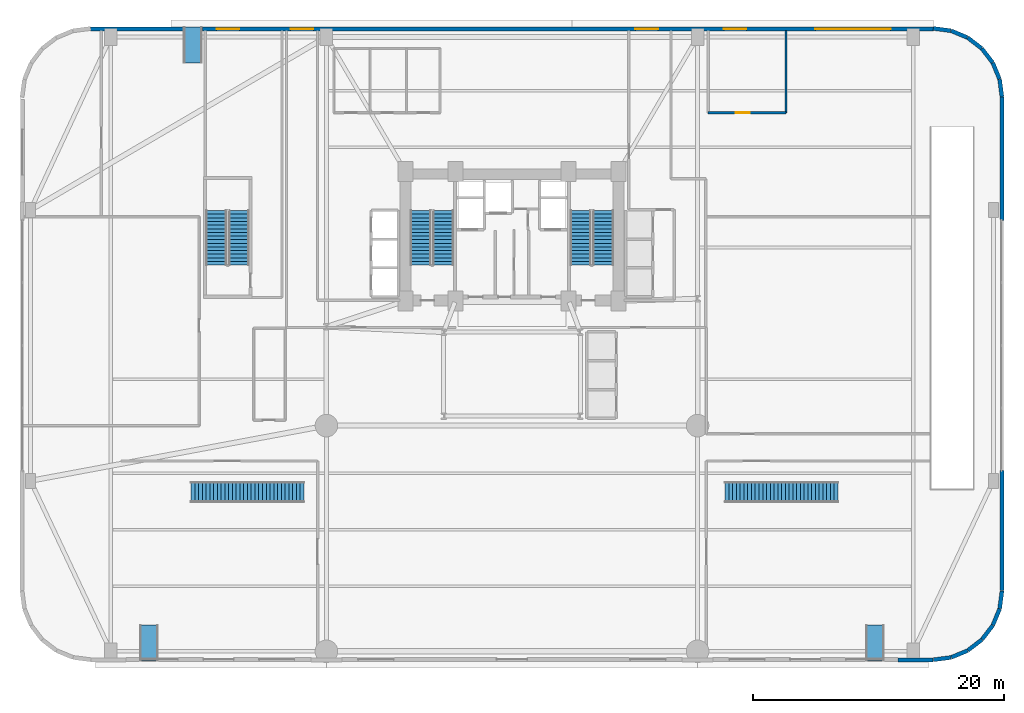
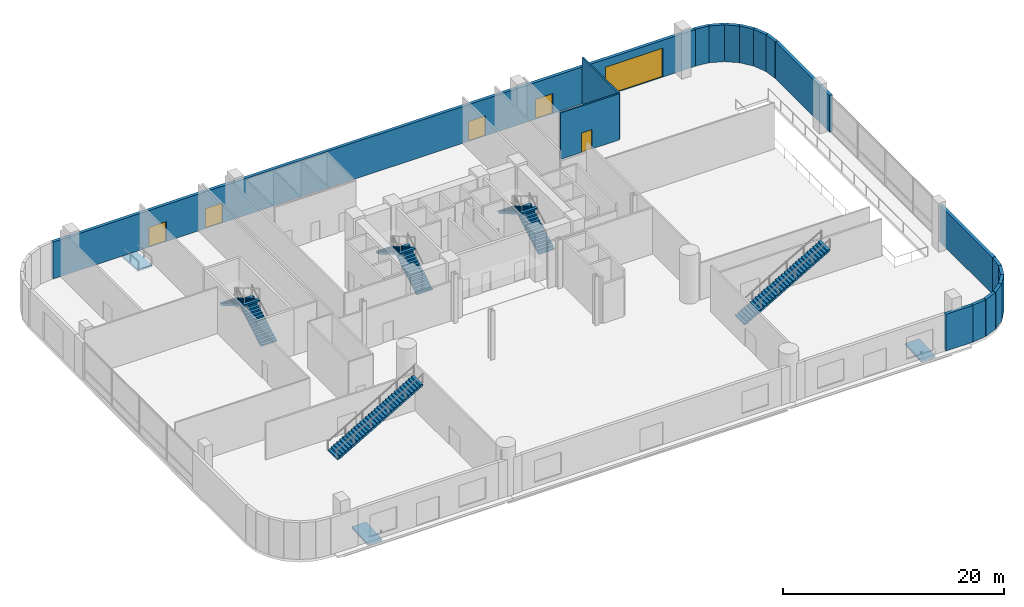
# One storey, part 19 of 26: 18 walls, 8 stair flights, 6 doors, 3 ramp flights, 6 openings, 8 elements without a shape of their own.
"""IFC4 building model written with IfcOpenShell, lengths in metres."""

from ifc_helpers import new_model, si_unit, direction, frame, frame_2d, origin, place, context, subcontext, project, spatial, polyline, rectangle, outline, extrude, material, layer, layer_set, type_object, element, fill, aggregate, save


model = new_model("IFC4")

# Units and contexts
model_context = context("Model", 3, precision=1e-05, world=origin(), true_north=direction((0.0, 1.0)))
body_context = subcontext(model_context, "Body", "Model", "MODEL_VIEW")
ifc_project = project(units=[si_unit("LENGTHUNIT", "METRE"), si_unit("AREAUNIT", "SQUARE_METRE"), si_unit("VOLUMEUNIT", "CUBIC_METRE"), si_unit("PLANEANGLEUNIT", "RADIAN"), si_unit("MASSUNIT", "GRAM", prefix="KILO")], contexts=[model_context])

# Site, building, storey
site_placement = place(None, origin())
site = spatial("IfcSite", under=ifc_project, at=site_placement, CompositionType="ELEMENT")
building_placement = place(site_placement, origin())
building = spatial("IfcBuilding", under=site, at=building_placement, Name="Varnelok Gate Tower", CompositionType="ELEMENT")
storey_placement = place(building_placement, origin())
storey = spatial("IfcBuildingStorey", under=building, at=storey_placement, Name="L00", CompositionType="ELEMENT", Elevation=0.0)

# Wall, openings, doors
ifc_material_1 = material(Name="Concrete C45/55", Category="concrete")
ifc_layer_1 = layer(ifc_material_1, 0.320068359375)
ifc_layer_set_1 = layer_set([ifc_layer_1], Name="Concrete C45/55")
wall_type_1 = type_object("IfcWallType", Name="EW-POD-320", PredefinedType="SOLIDWALL", material=ifc_layer_set_1)
wall_1_placement = place(storey_placement, frame((5.60009765625, 50.43994140625, 0.0), z_axis=(0.0, 0.0, 1.0), x_axis=(1.0, 0.0, 0.0)))
wall_1 = element("IfcWall", 1, at=wall_1_placement, inside=storey, type_object=wall_type_1, Name="L00 North Streetfront Envelope Wall", PredefinedType="SOLIDWALL", context=body_context, shape_type="SweptSolid", body=[
    extrude(rectangle(XDim=67.199951171875, YDim=0.320068359375, at=frame_2d((33.60009765625, 0.0))), origin(), (0.0, 0.0, 1.0), 4.070068359375),
])
opening_1_placement = place(wall_1_placement, frame((10.050048828125, 0.0, 0.0)))
opening_1 = element("IfcOpeningElement", 2, at=opening_1_placement, cuts=wall_1, Name="Opening ED-01", PredefinedType="OPENING", context=body_context, shape_type="SweptSolid", body=[
    extrude(rectangle(XDim=1.800048828125, YDim=2.199951171875, at=frame_2d((0.89990234375, 1.10009765625))), frame((0.0, 0.169921875, 0.0), z_axis=(0.0, -1.0, 0.0), x_axis=(1.0, 0.0, 0.0)), (0.0, 0.0, 1.0), 0.340087890625),
])
opening_2_placement = place(wall_1_placement, frame((15.949951171875, 0.0, 0.0)))
opening_2 = element("IfcOpeningElement", 3, at=opening_2_placement, cuts=wall_1, Name="Opening ED-02", PredefinedType="OPENING", context=body_context, shape_type="SweptSolid", body=[
    extrude(rectangle(XDim=1.800048828125, YDim=2.199951171875, at=frame_2d((0.89990234375, 1.10009765625))), frame((0.0, 0.169921875, 0.0), z_axis=(0.0, -1.0, 0.0), x_axis=(1.0, 0.0, 0.0)), (0.0, 0.0, 1.0), 0.340087890625),
])
opening_3_placement = place(wall_1_placement, frame((43.449951171875, 0.0, 0.0)))
opening_3 = element("IfcOpeningElement", 4, at=opening_3_placement, cuts=wall_1, Name="Opening ED-03", PredefinedType="OPENING", context=body_context, shape_type="SweptSolid", body=[
    extrude(rectangle(XDim=1.800048828125, YDim=2.199951171875, at=frame_2d((0.89990234375, 1.10009765625))), frame((0.0, 0.169921875, 0.0), z_axis=(0.0, -1.0, 0.0), x_axis=(1.0, 0.0, 0.0)), (0.0, 0.0, 1.0), 0.340087890625),
])
opening_4_placement = place(wall_1_placement, frame((50.5, 0.0, 0.0)))
opening_4 = element("IfcOpeningElement", 5, at=opening_4_placement, cuts=wall_1, Name="Opening ED-07", PredefinedType="OPENING", context=body_context, shape_type="SweptSolid", body=[
    extrude(rectangle(XDim=1.800048828125, YDim=2.199951171875, at=frame_2d((0.89990234375, 1.10009765625))), frame((0.0, 0.169921875, 0.0), z_axis=(0.0, -1.0, 0.0), x_axis=(1.0, 0.0, 0.0)), (0.0, 0.0, 1.0), 0.340087890625),
])
opening_5_placement = place(wall_1_placement, frame((57.800048828125, 0.0, 0.0)))
opening_5 = element("IfcOpeningElement", 6, at=opening_5_placement, cuts=wall_1, Name="Opening VG-01", PredefinedType="OPENING", context=body_context, shape_type="SweptSolid", body=[
    extrude(rectangle(XDim=6.0, YDim=3.199951171875, at=frame_2d((3.0, 1.60009765625))), frame((0.0, 0.169921875, 0.0), z_axis=(0.0, -1.0, 0.0), x_axis=(1.0, 0.0, 0.0)), (0.0, 0.0, 1.0), 0.340087890625),
])
ifc_material_2 = material(Name="Galvanized Steel Grade S350GD", Category="steel")
door_type_1 = type_object("IfcDoorType", Name="DR-EXT-EXIT1800", OperationType="DOUBLE_DOOR_SINGLE_SWING", PredefinedType="DOOR", material=ifc_material_2)
door_1_placement = place(opening_1_placement, origin())
door_1 = element("IfcDoor", 7, at=door_1_placement, inside=storey, type_object=door_type_1, Name="L00 Final Exit Door ED-01 (Stair ST-3)", OperationType="DOUBLE_DOOR_SINGLE_SWING", OverallHeight=2.199951171875, OverallWidth=1.800048828125, PredefinedType="DOOR", context=body_context, shape_type="SweptSolid", body=[
    extrude(rectangle(XDim=1.800048828125, YDim=2.199951171875, at=frame_2d((0.89990234375, 1.10009765625))), frame((0.0, 0.02490234375, 0.0), z_axis=(0.0, -1.0, 0.0), x_axis=(1.0, 0.0, 0.0)), (0.0, 0.0, 1.0), 0.050048828125),
])
fill(opening_1, door_1)
door_2_placement = place(opening_2_placement, origin())
door_2 = element("IfcDoor", 8, at=door_2_placement, inside=storey, type_object=door_type_1, Name="L00 Final Exit Door ED-02 (Stair ST-1)", OperationType="DOUBLE_DOOR_SINGLE_SWING", OverallHeight=2.199951171875, OverallWidth=1.800048828125, PredefinedType="DOOR", context=body_context, shape_type="SweptSolid", body=[
    extrude(rectangle(XDim=1.800048828125, YDim=2.199951171875, at=frame_2d((0.89990234375, 1.10009765625))), frame((0.0, 0.02490234375, 0.0), z_axis=(0.0, -1.0, 0.0), x_axis=(1.0, 0.0, 0.0)), (0.0, 0.0, 1.0), 0.050048828125),
])
fill(opening_2, door_2)
door_3_placement = place(opening_3_placement, origin())
door_3 = element("IfcDoor", 9, at=door_3_placement, inside=storey, type_object=door_type_1, Name="L00 Final Exit Door ED-03 (Stair ST-2)", OperationType="DOUBLE_DOOR_SINGLE_SWING", OverallHeight=2.199951171875, OverallWidth=1.800048828125, PredefinedType="DOOR", context=body_context, shape_type="SweptSolid", body=[
    extrude(rectangle(XDim=1.800048828125, YDim=2.199951171875, at=frame_2d((0.89990234375, 1.10009765625))), frame((0.0, 0.02490234375, 0.0), z_axis=(0.0, -1.0, 0.0), x_axis=(1.0, 0.0, 0.0)), (0.0, 0.0, 1.0), 0.050048828125),
])
fill(opening_3, door_3)
door_4_placement = place(opening_4_placement, origin())
door_4 = element("IfcDoor", 10, at=door_4_placement, inside=storey, type_object=door_type_1, Name="L00 Fire Command Center Exterior Exit Door", OperationType="DOUBLE_DOOR_SINGLE_SWING", OverallHeight=2.199951171875, OverallWidth=1.800048828125, PredefinedType="DOOR", context=body_context, shape_type="SweptSolid", body=[
    extrude(rectangle(XDim=1.800048828125, YDim=2.199951171875, at=frame_2d((0.89990234375, 1.10009765625))), frame((0.0, 0.02490234375, 0.0), z_axis=(0.0, -1.0, 0.0), x_axis=(1.0, 0.0, 0.0)), (0.0, 0.0, 1.0), 0.050048828125),
])
fill(opening_4, door_4)
door_type_2 = type_object("IfcDoorType", Name="DR-VEH-GATE6000", OperationType="SLIDING_TO_LEFT", PredefinedType="GATE", material=ifc_material_2)
door_5_placement = place(opening_5_placement, origin())
door_5 = element("IfcDoor", 11, at=door_5_placement, inside=storey, type_object=door_type_2, Name="L00 Car Park Ramp Motorized Street Gate VG-01", OperationType="SLIDING_TO_LEFT", OverallHeight=3.199951171875, OverallWidth=6.0, PredefinedType="GATE", context=body_context, shape_type="SweptSolid", body=[
    extrude(rectangle(XDim=6.0, YDim=3.199951171875, at=frame_2d((3.0, 1.60009765625))), frame((0.0, 0.02490234375, 0.0), z_axis=(0.0, -1.0, 0.0), x_axis=(1.0, 0.0, 0.0)), (0.0, 0.0, 1.0), 0.050048828125),
])
fill(opening_5, door_5)

# Walls
wall_2_placement = place(storey_placement, frame((69.969970703125, 0.1201171875, 0.0), z_axis=(0.0, 0.0, 1.0), x_axis=(1.0, 0.0, 0.0)))
element("IfcWall", 12, at=wall_2_placement, inside=storey, type_object=wall_type_1, Name="L00 Perimeter Facade Closure Wall 10", PredefinedType="SOLIDWALL", context=body_context, shape_type="SweptSolid", body=[
    extrude(rectangle(XDim=2.822021484375, YDim=0.320068359375, at=frame_2d((1.4111328125, 0.0))), origin(), (0.0, 0.0, 1.0), 4.070068359375),
])
wall_3_placement = place(storey_placement, frame((72.81689453125, 0.123291015625, 0.0), z_axis=(0.0, 0.0, 1.0), x_axis=(0.991457235349, 0.130432168094, 0.0)))
element("IfcWall", 13, at=wall_3_placement, inside=storey, type_object=wall_type_1, Name="L00 Perimeter Facade Closure Wall 11", PredefinedType="SOLIDWALL", context=body_context, shape_type="SweptSolid", body=[
    extrude(rectangle(XDim=1.4130859375, YDim=0.320068359375, at=frame_2d((0.70654296875, 0.0))), origin(), (0.0, 0.0, 1.0), 4.070068359375),
])
for number, where, z_axis, x_axis, name in (
    (14, (74.2412109375, 0.3173828125, 0.0), (0.0, 0.0, 1.0), (0.923927911071, 0.382566615302, 0.0), "L00 Perimeter Facade Closure Wall 12"),
    (15, (75.559326171875, 0.870361328125, 0.0), (0.0, 0.0, 1.0), (0.79338541907, 0.60871962085, 0.0), "L00 Perimeter Facade Closure Wall 13"),
    (16, (76.689453125, 1.74560546875, 0.0), (0.0, 0.0, 1.0), (0.60871962085, 0.79338541907, 0.0), "L00 Perimeter Facade Closure Wall 14"),
    (17, (77.554443359375, 2.883544921875, 0.0), (0.0, 0.0, 1.0), (0.382714908977, 0.923866493844, 0.0), "L00 Perimeter Facade Closure Wall 15"),
):
    element("IfcWall", number, at=place(storey_placement, frame(where, z_axis=z_axis, x_axis=x_axis)), inside=storey, type_object=wall_type_1, Name=name, PredefinedType="SOLIDWALL", context=body_context, shape_type="SweptSolid", body=[
        extrude(rectangle(XDim=1.4052734375, YDim=0.320068359375, at=frame_2d((0.70263671875, 0.0))), origin(), (0.0, 0.0, 1.0), 4.070068359375),
    ])
wall_4_placement = place(storey_placement, frame((78.095703125, 4.206787109375, 0.0), z_axis=(0.0, 0.0, 1.0), x_axis=(0.130432168094, 0.991457235349, 0.0)))
element("IfcWall", 18, at=wall_4_placement, inside=storey, type_object=wall_type_1, Name="L00 Perimeter Facade Closure Wall 16", PredefinedType="SOLIDWALL", context=body_context, shape_type="SweptSolid", body=[
    extrude(rectangle(XDim=1.4130859375, YDim=0.320068359375, at=frame_2d((0.70654296875, 0.0))), origin(), (0.0, 0.0, 1.0), 4.070068359375),
])
wall_5_placement = place(storey_placement, frame((78.280029296875, 5.6328125, 0.0), z_axis=(0.0, 0.0, 1.0), x_axis=(0.0, 1.0, 0.0)))
element("IfcWall", 19, at=wall_5_placement, inside=storey, type_object=wall_type_1, Name="L00 Perimeter Facade Closure Wall 17", PredefinedType="SOLIDWALL", context=body_context, shape_type="SweptSolid", body=[
    extrude(rectangle(XDim=9.59716796875, YDim=0.320068359375, at=frame_2d((4.798583984375, 0.0))), origin(), (0.0, 0.0, 1.0), 4.070068359375),
])
wall_6_placement = place(storey_placement, frame((78.280029296875, 35.169921875, 0.0), z_axis=(0.0, 0.0, 1.0), x_axis=(0.0, 1.0, 0.0)))
element("IfcWall", 20, at=wall_6_placement, inside=storey, type_object=wall_type_1, Name="L00 Perimeter Facade Closure Wall 18", PredefinedType="SOLIDWALL", context=body_context, shape_type="SweptSolid", body=[
    extrude(rectangle(XDim=9.822265625, YDim=0.320068359375, at=frame_2d((4.9111328125, 0.0))), origin(), (0.0, 0.0, 1.0), 4.070068359375),
])
wall_7_placement = place(storey_placement, frame((78.276611328125, 45.016845703125, 0.0), z_axis=(0.0, 0.0, 1.0), x_axis=(-0.130409831203, 0.991460173646, 0.0)))
element("IfcWall", 21, at=wall_7_placement, inside=storey, type_object=wall_type_1, Name="L00 Perimeter Facade Closure Wall 19", PredefinedType="SOLIDWALL", context=body_context, shape_type="SweptSolid", body=[
    extrude(rectangle(XDim=1.413330078125, YDim=0.320068359375, at=frame_2d((0.70654296875, 0.0))), origin(), (0.0, 0.0, 1.0), 4.070068359375),
])
for number, where, z_axis, x_axis, name in (
    (22, (78.082763671875, 46.441162109375, 0.0), (0.0, 0.0, 1.0), (-0.382714908977, 0.923866493844, 0.0), "L00 Perimeter Facade Closure Wall 20"),
    (23, (77.52978515625, 47.75927734375, 0.0), (0.0, 0.0, 1.0), (-0.60871962085, 0.79338541907, 0.0), "L00 Perimeter Facade Closure Wall 21"),
    (24, (76.654296875, 48.889404296875, 0.0), (0.0, 0.0, 1.0), (-0.793321035123, 0.608803527611, 0.0), "L00 Perimeter Facade Closure Wall 22"),
    (25, (75.516357421875, 49.75439453125, 0.0), (0.0, 0.0, 1.0), (-0.923866493844, 0.382714908977, 0.0), "L00 Perimeter Facade Closure Wall 23"),
    (26, (74.193359375, 50.295654296875, 0.0), (0.0, 0.0, 1.0), (-0.991452521533, 0.130467994335, 0.0), "L00 Perimeter Facade Closure Wall 24"),
):
    element("IfcWall", number, at=place(storey_placement, frame(where, z_axis=z_axis, x_axis=x_axis)), inside=storey, type_object=wall_type_1, Name=name, PredefinedType="SOLIDWALL", context=body_context, shape_type="SweptSolid", body=[
        extrude(rectangle(XDim=1.4052734375, YDim=0.320068359375, at=frame_2d((0.70263671875, 0.0))), origin(), (0.0, 0.0, 1.0), 4.070068359375),
    ])

# Wall, opening, door
ifc_material_3 = material(Name="Gypsum Plasterboard Acoustic Partition", Category="gypsum")
ifc_layer_2 = layer(ifc_material_3, 0.179931640625)
ifc_layer_set_2 = layer_set([ifc_layer_2], Name="Gypsum Plasterboard Acoustic Partition")
wall_type_2 = type_object("IfcWallType", Name="PW-CORR-180", PredefinedType="PARTITIONING", material=ifc_layer_set_2)
wall_8_placement = place(storey_placement, frame((54.85009765625, 43.75, 0.0), z_axis=(0.0, 0.0, 1.0), x_axis=(1.0, 0.0, 0.0)))
wall_8 = element("IfcWall", 27, at=wall_8_placement, inside=storey, type_object=wall_type_2, Name="Interior Partition", PredefinedType="PARTITIONING", context=body_context, shape_type="SweptSolid", body=[
    extrude(rectangle(XDim=6.199951171875, YDim=0.179931640625, at=frame_2d((3.10009765625, 0.0))), origin(), (0.0, 0.0, 1.0), 5.1201171875),
])
opening_6_placement = place(wall_8_placement, frame((2.199951171875, 0.0, 0.0)))
opening_6 = element("IfcOpeningElement", 28, at=opening_6_placement, cuts=wall_8, Name="Opening D-FF", PredefinedType="OPENING", context=body_context, shape_type="SweptSolid", body=[
    extrude(rectangle(XDim=1.10009765625, YDim=2.14990234375, at=frame_2d((0.550048828125, 1.074951171875))), frame((0.0, 0.099853515625, 0.0), z_axis=(0.0, -1.0, 0.0), x_axis=(1.0, 0.0, 0.0)), (0.0, 0.0, 1.0), 0.199951171875),
])
door_type_3 = type_object("IfcDoorType", Name="DR-FFLOB-1100", OperationType="NOTDEFINED", PredefinedType="DOOR", material=ifc_material_2)
door_6_placement = place(opening_6_placement, origin())
door_6 = element("IfcDoor", 29, at=door_6_placement, inside=storey, type_object=door_type_3, Name="L00 Fire Command Center Interior Door", OperationType="SINGLE_SWING_LEFT", OverallHeight=2.14990234375, OverallWidth=1.10009765625, PredefinedType="DOOR", context=body_context, shape_type="SweptSolid", body=[
    extrude(rectangle(XDim=1.10009765625, YDim=2.14990234375, at=frame_2d((0.550048828125, 1.074951171875))), frame((0.0, 0.02490234375, 0.0), z_axis=(0.0, -1.0, 0.0), x_axis=(1.0, 0.0, 0.0)), (0.0, 0.0, 1.0), 0.050048828125),
])
fill(opening_6, door_6)

# Wall
wall_9_placement = place(storey_placement, frame((61.050048828125, 43.75, 0.0), z_axis=(0.0, 0.0, 1.0), x_axis=(0.0, 1.0, 0.0)))
element("IfcWall", 30, at=wall_9_placement, inside=storey, type_object=wall_type_2, Name="Interior Partition", PredefinedType="PARTITIONING", context=body_context, shape_type="SweptSolid", body=[
    extrude(rectangle(XDim=6.550048828125, YDim=0.179931640625, at=frame_2d((3.27490234375, 0.0))), origin(), (0.0, 0.0, 1.0), 5.1201171875),
])

# Stair, stair flights
ifc_material_4 = material(Name="Concrete C50/60", Category="concrete")
stair_type_1 = type_object("IfcStairType", Name="STR-CORE-1650", PredefinedType="HALF_TURN_STAIR", material=ifc_material_4)
stair_1_placement = place(storey_placement, origin())
stair_1 = element("IfcStair", 31, at=stair_1_placement, inside=storey, type_object=stair_type_1, Name="L00 Exit Stair ST-1", PredefinedType="HALF_TURN_STAIR")
stair_flight_type_1 = type_object("IfcStairFlightType", Name="SFL-CORE-1650", PredefinedType="STRAIGHT", material=ifc_material_4)
stair_flight_1_placement = place(storey_placement, frame((33.72509765625, 31.60009765625, 0.0), z_axis=(0.0, 0.0, 1.0), x_axis=(0.0, 1.0, 0.0)))
stair_flight_1 = element("IfcStairFlight", 32, at=stair_flight_1_placement, type_object=stair_flight_type_1, Name="ST-1 flight 1", NumberOfRisers=16, NumberOfTreads=15, PredefinedType="STRAIGHT", RiserHeight=0.16875, TreadLength=0.29, context=body_context, shape_type="SweptSolid", body=[
    extrude(outline(polyline([(0.0, 0.0), (0.0, 0.168701171875), (0.2900390625, 0.168701171875), (0.2900390625, 0.33740234375), (0.580078125, 0.33740234375), (0.580078125, 0.50634765625), (0.8701171875, 0.50634765625), (0.8701171875, 0.675048828125), (1.159912109375, 0.675048828125), (1.159912109375, 0.84375), (1.449951171875, 0.84375), (1.449951171875, 1.012451171875), (1.739990234375, 1.012451171875), (1.739990234375, 1.18115234375), (2.030029296875, 1.18115234375), (2.030029296875, 1.35009765625), (2.320068359375, 1.35009765625), (2.320068359375, 1.518798828125), (2.610107421875, 1.518798828125), (2.610107421875, 1.6875), (2.89990234375, 1.6875), (2.89990234375, 1.856201171875), (3.18994140625, 1.856201171875), (3.18994140625, 2.02490234375), (3.47998046875, 2.02490234375), (3.47998046875, 2.19384765625), (3.77001953125, 2.19384765625), (3.77001953125, 2.362548828125), (4.06005859375, 2.362548828125), (4.06005859375, 2.53125), (4.35009765625, 2.53125), (4.35009765625, 2.699951171875), (4.35009765625, 2.35791015625), (0.298095703125, 0.0), (0.0, 0.0)])), frame((0.0, 0.824951171875, 0.0), z_axis=(0.0, -1.0, 0.0), x_axis=(1.0, 0.0, 0.0)), (0.0, 0.0, 1.0), 1.64990234375),
])
stair_flight_2_placement = place(storey_placement, frame((31.925048828125, 35.949951171875, 2.699951171875), z_axis=(0.0, 0.0, 1.0), x_axis=(0.0, -1.0, 0.0)))
stair_flight_2 = element("IfcStairFlight", 33, at=stair_flight_2_placement, type_object=stair_flight_type_1, Name="ST-1 flight 2", NumberOfRisers=16, NumberOfTreads=15, PredefinedType="STRAIGHT", RiserHeight=0.16875, TreadLength=0.29, context=body_context, shape_type="SweptSolid", body=[
    extrude(outline(polyline([(0.0, 0.0), (0.0, 0.168701171875), (0.2900390625, 0.168701171875), (0.2900390625, 0.33740234375), (0.580078125, 0.33740234375), (0.580078125, 0.50634765625), (0.8701171875, 0.50634765625), (0.8701171875, 0.675048828125), (1.159912109375, 0.675048828125), (1.159912109375, 0.84375), (1.449951171875, 0.84375), (1.449951171875, 1.012451171875), (1.739990234375, 1.012451171875), (1.739990234375, 1.18115234375), (2.030029296875, 1.18115234375), (2.030029296875, 1.35009765625), (2.320068359375, 1.35009765625), (2.320068359375, 1.518798828125), (2.610107421875, 1.518798828125), (2.610107421875, 1.6875), (2.89990234375, 1.6875), (2.89990234375, 1.856201171875), (3.18994140625, 1.856201171875), (3.18994140625, 2.02490234375), (3.47998046875, 2.02490234375), (3.47998046875, 2.19384765625), (3.77001953125, 2.19384765625), (3.77001953125, 2.362548828125), (4.06005859375, 2.362548828125), (4.06005859375, 2.53125), (4.35009765625, 2.53125), (4.35009765625, 2.699951171875), (4.35009765625, 2.35791015625), (0.298095703125, 0.0), (0.0, 0.0)])), frame((0.0, 0.824951171875, 0.0), z_axis=(0.0, -1.0, 0.0), x_axis=(1.0, 0.0, 0.0)), (0.0, 0.0, 1.0), 1.64990234375),
])
aggregate(stair_1, [stair_flight_1, stair_flight_2])

stair_2_placement = place(storey_placement, origin())
stair_2 = element("IfcStair", 34, at=stair_2_placement, inside=storey, type_object=stair_type_1, Name="L00 Exit Stair ST-2", PredefinedType="HALF_TURN_STAIR")
stair_flight_3_placement = place(storey_placement, frame((46.47509765625, 31.60009765625, 0.0), z_axis=(0.0, 0.0, 1.0), x_axis=(0.0, 1.0, 0.0)))
stair_flight_3 = element("IfcStairFlight", 35, at=stair_flight_3_placement, type_object=stair_flight_type_1, Name="ST-2 flight 1", NumberOfRisers=16, NumberOfTreads=15, PredefinedType="STRAIGHT", RiserHeight=0.16875, TreadLength=0.29, context=body_context, shape_type="SweptSolid", body=[
    extrude(outline(polyline([(0.0, 0.0), (0.0, 0.168701171875), (0.2900390625, 0.168701171875), (0.2900390625, 0.33740234375), (0.580078125, 0.33740234375), (0.580078125, 0.50634765625), (0.8701171875, 0.50634765625), (0.8701171875, 0.675048828125), (1.159912109375, 0.675048828125), (1.159912109375, 0.84375), (1.449951171875, 0.84375), (1.449951171875, 1.012451171875), (1.739990234375, 1.012451171875), (1.739990234375, 1.18115234375), (2.030029296875, 1.18115234375), (2.030029296875, 1.35009765625), (2.320068359375, 1.35009765625), (2.320068359375, 1.518798828125), (2.610107421875, 1.518798828125), (2.610107421875, 1.6875), (2.89990234375, 1.6875), (2.89990234375, 1.856201171875), (3.18994140625, 1.856201171875), (3.18994140625, 2.02490234375), (3.47998046875, 2.02490234375), (3.47998046875, 2.19384765625), (3.77001953125, 2.19384765625), (3.77001953125, 2.362548828125), (4.06005859375, 2.362548828125), (4.06005859375, 2.53125), (4.35009765625, 2.53125), (4.35009765625, 2.699951171875), (4.35009765625, 2.35791015625), (0.298095703125, 0.0), (0.0, 0.0)])), frame((0.0, 0.824951171875, 0.0), z_axis=(0.0, -1.0, 0.0), x_axis=(1.0, 0.0, 0.0)), (0.0, 0.0, 1.0), 1.64990234375),
])
stair_flight_4_placement = place(storey_placement, frame((44.675048828125, 35.949951171875, 2.699951171875), z_axis=(0.0, 0.0, 1.0), x_axis=(0.0, -1.0, 0.0)))
stair_flight_4 = element("IfcStairFlight", 36, at=stair_flight_4_placement, type_object=stair_flight_type_1, Name="ST-2 flight 2", NumberOfRisers=16, NumberOfTreads=15, PredefinedType="STRAIGHT", RiserHeight=0.16875, TreadLength=0.29, context=body_context, shape_type="SweptSolid", body=[
    extrude(outline(polyline([(0.0, 0.0), (0.0, 0.168701171875), (0.2900390625, 0.168701171875), (0.2900390625, 0.33740234375), (0.580078125, 0.33740234375), (0.580078125, 0.50634765625), (0.8701171875, 0.50634765625), (0.8701171875, 0.675048828125), (1.159912109375, 0.675048828125), (1.159912109375, 0.84375), (1.449951171875, 0.84375), (1.449951171875, 1.012451171875), (1.739990234375, 1.012451171875), (1.739990234375, 1.18115234375), (2.030029296875, 1.18115234375), (2.030029296875, 1.35009765625), (2.320068359375, 1.35009765625), (2.320068359375, 1.518798828125), (2.610107421875, 1.518798828125), (2.610107421875, 1.6875), (2.89990234375, 1.6875), (2.89990234375, 1.856201171875), (3.18994140625, 1.856201171875), (3.18994140625, 2.02490234375), (3.47998046875, 2.02490234375), (3.47998046875, 2.19384765625), (3.77001953125, 2.19384765625), (3.77001953125, 2.362548828125), (4.06005859375, 2.362548828125), (4.06005859375, 2.53125), (4.35009765625, 2.53125), (4.35009765625, 2.699951171875), (4.35009765625, 2.35791015625), (0.298095703125, 0.0), (0.0, 0.0)])), frame((0.0, 0.824951171875, 0.0), z_axis=(0.0, -1.0, 0.0), x_axis=(1.0, 0.0, 0.0)), (0.0, 0.0, 1.0), 1.64990234375),
])
aggregate(stair_2, [stair_flight_3, stair_flight_4])

stair_3_placement = place(storey_placement, origin())
stair_3 = element("IfcStair", 37, at=stair_3_placement, inside=storey, type_object=stair_type_1, Name="L00 Podium Exit Stair ST-3", PredefinedType="HALF_TURN_STAIR")
stair_flight_5_placement = place(storey_placement, frame((17.425048828125, 31.60009765625, 0.0), z_axis=(0.0, 0.0, 1.0), x_axis=(0.0, 1.0, 0.0)))
stair_flight_5 = element("IfcStairFlight", 38, at=stair_flight_5_placement, type_object=stair_flight_type_1, Name="ST-3 flight 1", NumberOfRisers=16, NumberOfTreads=15, PredefinedType="STRAIGHT", RiserHeight=0.16875, TreadLength=0.29, context=body_context, shape_type="SweptSolid", body=[
    extrude(outline(polyline([(0.0, 0.0), (0.0, 0.168701171875), (0.2900390625, 0.168701171875), (0.2900390625, 0.33740234375), (0.580078125, 0.33740234375), (0.580078125, 0.50634765625), (0.8701171875, 0.50634765625), (0.8701171875, 0.675048828125), (1.159912109375, 0.675048828125), (1.159912109375, 0.84375), (1.449951171875, 0.84375), (1.449951171875, 1.012451171875), (1.739990234375, 1.012451171875), (1.739990234375, 1.18115234375), (2.030029296875, 1.18115234375), (2.030029296875, 1.35009765625), (2.320068359375, 1.35009765625), (2.320068359375, 1.518798828125), (2.610107421875, 1.518798828125), (2.610107421875, 1.6875), (2.89990234375, 1.6875), (2.89990234375, 1.856201171875), (3.18994140625, 1.856201171875), (3.18994140625, 2.02490234375), (3.47998046875, 2.02490234375), (3.47998046875, 2.19384765625), (3.77001953125, 2.19384765625), (3.77001953125, 2.362548828125), (4.06005859375, 2.362548828125), (4.06005859375, 2.53125), (4.35009765625, 2.53125), (4.35009765625, 2.699951171875), (4.35009765625, 2.35791015625), (0.298095703125, 0.0), (0.0, 0.0)])), frame((0.0, 0.824951171875, 0.0), z_axis=(0.0, -1.0, 0.0), x_axis=(1.0, 0.0, 0.0)), (0.0, 0.0, 1.0), 1.64990234375),
])
stair_flight_6_placement = place(storey_placement, frame((15.625, 35.949951171875, 2.699951171875), z_axis=(0.0, 0.0, 1.0), x_axis=(0.0, -1.0, 0.0)))
stair_flight_6 = element("IfcStairFlight", 39, at=stair_flight_6_placement, type_object=stair_flight_type_1, Name="ST-3 flight 2", NumberOfRisers=16, NumberOfTreads=15, PredefinedType="STRAIGHT", RiserHeight=0.16875, TreadLength=0.29, context=body_context, shape_type="SweptSolid", body=[
    extrude(outline(polyline([(0.0, 0.0), (0.0, 0.168701171875), (0.2900390625, 0.168701171875), (0.2900390625, 0.33740234375), (0.580078125, 0.33740234375), (0.580078125, 0.50634765625), (0.8701171875, 0.50634765625), (0.8701171875, 0.675048828125), (1.159912109375, 0.675048828125), (1.159912109375, 0.84375), (1.449951171875, 0.84375), (1.449951171875, 1.012451171875), (1.739990234375, 1.012451171875), (1.739990234375, 1.18115234375), (2.030029296875, 1.18115234375), (2.030029296875, 1.35009765625), (2.320068359375, 1.35009765625), (2.320068359375, 1.518798828125), (2.610107421875, 1.518798828125), (2.610107421875, 1.6875), (2.89990234375, 1.6875), (2.89990234375, 1.856201171875), (3.18994140625, 1.856201171875), (3.18994140625, 2.02490234375), (3.47998046875, 2.02490234375), (3.47998046875, 2.19384765625), (3.77001953125, 2.19384765625), (3.77001953125, 2.362548828125), (4.06005859375, 2.362548828125), (4.06005859375, 2.53125), (4.35009765625, 2.53125), (4.35009765625, 2.699951171875), (4.35009765625, 2.35791015625), (0.298095703125, 0.0), (0.0, 0.0)])), frame((0.0, 0.824951171875, 0.0), z_axis=(0.0, -1.0, 0.0), x_axis=(1.0, 0.0, 0.0)), (0.0, 0.0, 1.0), 1.64990234375),
])
aggregate(stair_3, [stair_flight_5, stair_flight_6])

# Stair, stair flight
stair_type_2 = type_object("IfcStairType", Name="STR-FEAT-1550", PredefinedType="STRAIGHT_RUN_STAIR", material=ifc_material_2)
stair_4_placement = place(storey_placement, origin())
stair_4 = element("IfcStair", 40, at=stair_4_placement, inside=storey, type_object=stair_type_2, Name="Feature Stair ST-4 (L00 to L01)", PredefinedType="STRAIGHT_RUN_STAIR")
stair_flight_type_2 = type_object("IfcStairFlightType", Name="SFL-FEAT-1550", PredefinedType="STRAIGHT", material=ifc_material_2)
stair_flight_7_placement = place(storey_placement, frame((13.60009765625, 13.5, 0.0), z_axis=(0.0, 0.0, 1.0), x_axis=(1.0, 0.0, 0.0)))
stair_flight_7 = element("IfcStairFlight", 41, at=stair_flight_7_placement, type_object=stair_flight_type_2, Name="ST-4 flight 1", NumberOfRisers=31, NumberOfTreads=30, PredefinedType="STRAIGHT", RiserHeight=0.174193548, TreadLength=0.3, context=body_context, shape_type="SweptSolid", body=[
    extrude(outline(polyline([(0.0, 0.0), (0.0, 0.174072265625), (0.300048828125, 0.174072265625), (0.300048828125, 0.348388671875), (0.60009765625, 0.348388671875), (0.60009765625, 0.5224609375), (0.89990234375, 0.5224609375), (0.89990234375, 0.69677734375), (1.199951171875, 0.69677734375), (1.199951171875, 0.870849609375), (1.5, 0.870849609375), (1.5, 1.045166015625), (1.800048828125, 1.045166015625), (1.800048828125, 1.21923828125), (2.10009765625, 1.21923828125), (2.10009765625, 1.3935546875), (2.39990234375, 1.3935546875), (2.39990234375, 1.567626953125), (2.699951171875, 1.567626953125), (2.699951171875, 1.741943359375), (3.0, 1.741943359375), (3.0, 1.916015625), (3.300048828125, 1.916015625), (3.300048828125, 2.09033203125), (3.60009765625, 2.09033203125), (3.60009765625, 2.264404296875), (3.89990234375, 2.264404296875), (3.89990234375, 2.438720703125), (4.199951171875, 2.438720703125), (4.199951171875, 2.61279296875), (4.5, 2.61279296875), (4.5, 2.787109375), (4.800048828125, 2.787109375), (4.800048828125, 2.961181640625), (5.10009765625, 2.961181640625), (5.10009765625, 3.135498046875), (5.39990234375, 3.135498046875), (5.39990234375, 3.3095703125), (5.699951171875, 3.3095703125), (5.699951171875, 3.48388671875), (6.0, 3.48388671875), (6.0, 3.657958984375), (6.300048828125, 3.657958984375), (6.300048828125, 3.832275390625), (6.60009765625, 3.832275390625), (6.60009765625, 4.00634765625), (6.89990234375, 4.00634765625), (6.89990234375, 4.1806640625), (7.199951171875, 4.1806640625), (7.199951171875, 4.354736328125), (7.5, 4.354736328125), (7.5, 4.529052734375), (7.800048828125, 4.529052734375), (7.800048828125, 4.703125), (8.10009765625, 4.703125), (8.10009765625, 4.87744140625), (8.39990234375, 4.87744140625), (8.39990234375, 5.051513671875), (8.699951171875, 5.051513671875), (8.699951171875, 5.225830078125), (9.0, 5.225830078125), (9.0, 5.39990234375), (9.0, 5.052490234375), (0.298583984375, 0.0), (0.0, 0.0)])), frame((0.0, 0.824951171875, 0.0), z_axis=(0.0, -1.0, 0.0), x_axis=(1.0, 0.0, 0.0)), (0.0, 0.0, 1.0), 1.64990234375),
])
aggregate(stair_4, [stair_flight_7])

stair_5_placement = place(storey_placement, origin())
stair_5 = element("IfcStair", 42, at=stair_5_placement, inside=storey, type_object=stair_type_2, Name="Feature Stair ST-5 (L00 to L01)", PredefinedType="STRAIGHT_RUN_STAIR")
stair_flight_8_placement = place(storey_placement, frame((56.199951171875, 13.5, 0.0), z_axis=(0.0, 0.0, 1.0), x_axis=(1.0, 0.0, 0.0)))
stair_flight_8 = element("IfcStairFlight", 43, at=stair_flight_8_placement, type_object=stair_flight_type_2, Name="ST-5 flight 1", NumberOfRisers=31, NumberOfTreads=30, PredefinedType="STRAIGHT", RiserHeight=0.174193548, TreadLength=0.3, context=body_context, shape_type="SweptSolid", body=[
    extrude(outline(polyline([(0.0, 0.0), (0.0, 0.174072265625), (0.300048828125, 0.174072265625), (0.300048828125, 0.348388671875), (0.60009765625, 0.348388671875), (0.60009765625, 0.5224609375), (0.89990234375, 0.5224609375), (0.89990234375, 0.69677734375), (1.199951171875, 0.69677734375), (1.199951171875, 0.870849609375), (1.5, 0.870849609375), (1.5, 1.045166015625), (1.800048828125, 1.045166015625), (1.800048828125, 1.21923828125), (2.10009765625, 1.21923828125), (2.10009765625, 1.3935546875), (2.39990234375, 1.3935546875), (2.39990234375, 1.567626953125), (2.699951171875, 1.567626953125), (2.699951171875, 1.741943359375), (3.0, 1.741943359375), (3.0, 1.916015625), (3.300048828125, 1.916015625), (3.300048828125, 2.09033203125), (3.60009765625, 2.09033203125), (3.60009765625, 2.264404296875), (3.89990234375, 2.264404296875), (3.89990234375, 2.438720703125), (4.199951171875, 2.438720703125), (4.199951171875, 2.61279296875), (4.5, 2.61279296875), (4.5, 2.787109375), (4.800048828125, 2.787109375), (4.800048828125, 2.961181640625), (5.10009765625, 2.961181640625), (5.10009765625, 3.135498046875), (5.39990234375, 3.135498046875), (5.39990234375, 3.3095703125), (5.699951171875, 3.3095703125), (5.699951171875, 3.48388671875), (6.0, 3.48388671875), (6.0, 3.657958984375), (6.300048828125, 3.657958984375), (6.300048828125, 3.832275390625), (6.60009765625, 3.832275390625), (6.60009765625, 4.00634765625), (6.89990234375, 4.00634765625), (6.89990234375, 4.1806640625), (7.199951171875, 4.1806640625), (7.199951171875, 4.354736328125), (7.5, 4.354736328125), (7.5, 4.529052734375), (7.800048828125, 4.529052734375), (7.800048828125, 4.703125), (8.10009765625, 4.703125), (8.10009765625, 4.87744140625), (8.39990234375, 4.87744140625), (8.39990234375, 5.051513671875), (8.699951171875, 5.051513671875), (8.699951171875, 5.225830078125), (9.0, 5.225830078125), (9.0, 5.39990234375), (9.0, 5.052490234375), (0.298583984375, 0.0), (0.0, 0.0)])), frame((0.0, 0.824951171875, 0.0), z_axis=(0.0, -1.0, 0.0), x_axis=(1.0, 0.0, 0.0)), (0.0, 0.0, 1.0), 1.64990234375),
])
aggregate(stair_5, [stair_flight_8])

# Ramp, ramp flight
ramp_type = type_object("IfcRampType", Name="RAMP-PED", PredefinedType="STRAIGHT_RUN_RAMP", material=ifc_material_1)
ramp_1_placement = place(storey_placement, origin())
ramp_1 = element("IfcRamp", 44, at=ramp_1_placement, inside=storey, type_object=ramp_type, Name="Accessible Entry Ramp AR-1", PredefinedType="STRAIGHT_RUN_RAMP")
ifc_layer_3 = layer(ifc_material_1, 0.199951171875)
ifc_layer_set_3 = layer_set([ifc_layer_3], Name="Concrete C45/55")
ramp_flight_type = type_object("IfcRampFlightType", Name="RAMP-FLIGHT-PED", PredefinedType="STRAIGHT", material=ifc_layer_set_3)
ramp_flight_1_placement = place(storey_placement, frame((10.25, 0.02001953125, -0.179931640625), z_axis=(0.0, 0.0, 1.0), x_axis=(0.0, 1.0, 0.0)))
ramp_flight_1 = element("IfcRampFlight", 45, at=ramp_flight_1_placement, type_object=ramp_flight_type, Name="Accessible Entry Ramp AR-1 flight", PredefinedType="STRAIGHT", context=body_context, shape_type="SweptSolid", body=[
    extrude(outline(polyline([(0.0, 0.0), (2.85986328125, 0.179931640625), (2.85986328125, -0.02001953125), (0.0, -0.199951171875), (0.0, 0.0)])), frame((0.0, 0.75, 0.0), z_axis=(0.0, -1.0, 0.0), x_axis=(1.0, 0.0, 0.0)), (0.0, 0.0, 1.0), 1.5),
])
aggregate(ramp_1, [ramp_flight_1])

ramp_2_placement = place(storey_placement, origin())
ramp_2 = element("IfcRamp", 46, at=ramp_2_placement, inside=storey, type_object=ramp_type, Name="Accessible Entry Ramp AR-2", PredefinedType="STRAIGHT_RUN_RAMP")
ramp_flight_2_placement = place(storey_placement, frame((68.14990234375, 0.02001953125, -0.179931640625), z_axis=(0.0, 0.0, 1.0), x_axis=(0.0, 1.0, 0.0)))
ramp_flight_2 = element("IfcRampFlight", 47, at=ramp_flight_2_placement, type_object=ramp_flight_type, Name="Accessible Entry Ramp AR-2 flight", PredefinedType="STRAIGHT", context=body_context, shape_type="SweptSolid", body=[
    extrude(outline(polyline([(0.0, 0.0), (2.85986328125, 0.179931640625), (2.85986328125, -0.02001953125), (0.0, -0.199951171875), (0.0, 0.0)])), frame((0.0, 0.75, 0.0), z_axis=(0.0, -1.0, 0.0), x_axis=(1.0, 0.0, 0.0)), (0.0, 0.0, 1.0), 1.5),
])
aggregate(ramp_2, [ramp_flight_2])

ramp_3_placement = place(storey_placement, origin())
ramp_3 = element("IfcRamp", 48, at=ramp_3_placement, inside=storey, type_object=ramp_type, Name="Accessible Entry Ramp AR-3", PredefinedType="STRAIGHT_RUN_RAMP")
ramp_flight_3_placement = place(storey_placement, frame((13.75, 47.719970703125, 0.0), z_axis=(0.0, 0.0, 1.0), x_axis=(0.0, 1.0, 0.0)))
ramp_flight_3 = element("IfcRampFlight", 49, at=ramp_flight_3_placement, type_object=ramp_flight_type, Name="Accessible Entry Ramp AR-3 flight", PredefinedType="STRAIGHT", context=body_context, shape_type="SweptSolid", body=[
    extrude(outline(polyline([(0.0, 0.0), (2.860107421875, -0.179931640625), (2.860107421875, -0.3798828125), (0.0, -0.199951171875), (0.0, 0.0)])), frame((0.0, 0.75, 0.0), z_axis=(0.0, -1.0, 0.0), x_axis=(1.0, 0.0, 0.0)), (0.0, 0.0, 1.0), 1.5),
])
aggregate(ramp_3, [ramp_flight_3])

save(model, "model.ifc")
